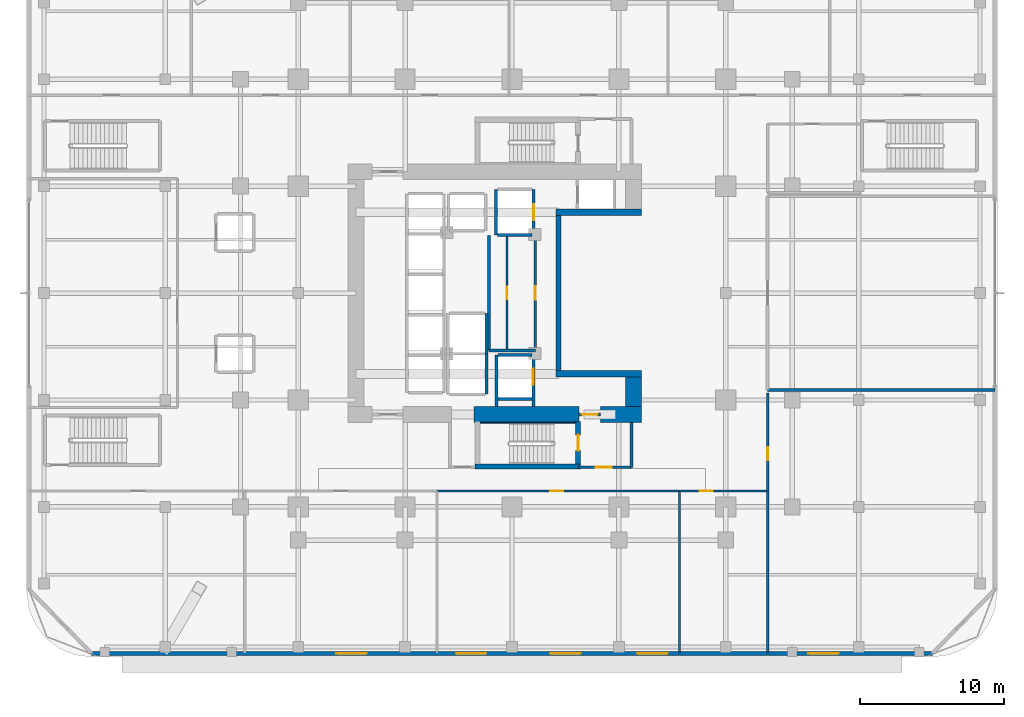
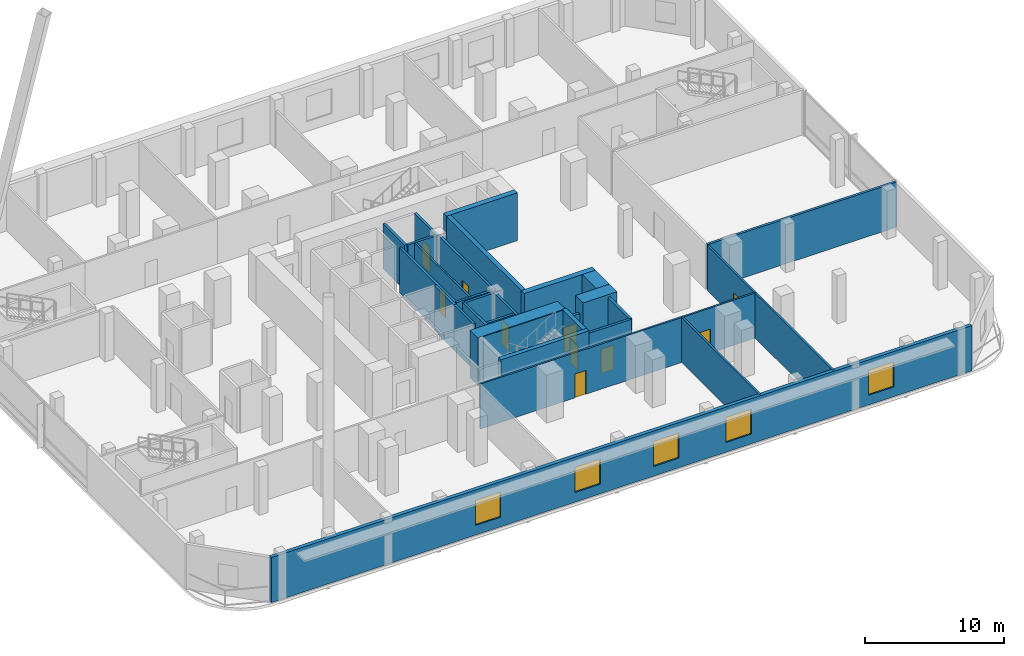
# One storey, part 9 of 19: 32 walls, 10 doors, 5 windows, 15 openings.
"""IFC4 building model written with IfcOpenShell, lengths in metres."""

from ifc_helpers import new_model, si_unit, direction, frame, frame_2d, origin, place, context, subcontext, project, spatial, rectangle, extrude, material, layer, layer_set, type_object, element, fill, save


model = new_model("IFC4")

# Units and contexts
model_context = context("Model", 3, precision=1e-05, world=origin(), true_north=direction((0.0, 1.0)))
body_context = subcontext(model_context, "Body", "Model", "MODEL_VIEW")
ifc_project = project(units=[si_unit("LENGTHUNIT", "METRE"), si_unit("AREAUNIT", "SQUARE_METRE"), si_unit("VOLUMEUNIT", "CUBIC_METRE"), si_unit("PLANEANGLEUNIT", "RADIAN"), si_unit("MASSUNIT", "GRAM", prefix="KILO")], contexts=[model_context])

# Site, building, storey
site_placement = place(None, origin())
site = spatial("IfcSite", under=ifc_project, at=site_placement, CompositionType="ELEMENT")
building_placement = place(site_placement, origin())
building = spatial("IfcBuilding", under=site, at=building_placement, Name="Khorvyn Point Tower", CompositionType="ELEMENT")
storey_placement = place(building_placement, frame((0.0, 0.0, 4.800048828125)))
storey = spatial("IfcBuildingStorey", under=building, at=storey_placement, Name="L02", CompositionType="ELEMENT", Elevation=4.800048828125)

# Walls
ifc_material_1 = material(Name="Concrete C40/50", Category="concrete")
ifc_layer_1 = layer(ifc_material_1, 0.449951171875)
ifc_layer_set_1 = layer_set([ifc_layer_1], Name="Concrete C40/50 Core Shear Wall 450")
wall_type_1 = type_object("IfcWallType", Name="Concrete C40/50 Core Shear Wall 450", PredefinedType="SHEAR", material=ifc_layer_set_1)
for number, where, z_axis, x_axis, name in (
    (1, (3.044921875, -5.60009765625, 0.0), (0.0, 0.0, 1.0), (1.0, 0.0, 0.0), "Wall"),
    (2, (3.044921875, 5.60009765625, 0.0), (0.0, 0.0, 1.0), (1.0, 0.0, 0.0), "Wall"),
):
    element("IfcWall", number, at=place(storey_placement, frame(where, z_axis=z_axis, x_axis=x_axis)), inside=storey, type_object=wall_type_1, Name=name, PredefinedType="SHEAR", context=body_context, shape_type="SweptSolid", body=[
        extrude(rectangle(XDim=5.905029296875, YDim=0.449951171875, at=frame_2d((2.95263671875, 0.0))), origin(), (0.0, 0.0, 1.0), 4.199951171875),
    ])

# Wall, opening, door
ifc_layer_2 = layer(ifc_material_1, 0.199951171875)
ifc_layer_set_2 = layer_set([ifc_layer_2], Name="Concrete C40/50 Fire-Lobby Compartment Wall 200")
wall_type_2 = type_object("IfcWallType", Name="Concrete C40/50 Fire-Lobby Compartment Wall 200", PredefinedType="SOLIDWALL", material=ifc_layer_set_2)
wall_1_placement = place(storey_placement, frame((4.580078125, -12.06005859375, 0.0), z_axis=(0.0, 0.0, 1.0), x_axis=(1.0, 0.0, 0.0)))
wall_1 = element("IfcWall", 3, at=wall_1_placement, inside=storey, type_object=wall_type_2, Name="Wall", PredefinedType="SOLIDWALL", context=body_context, shape_type="SweptSolid", body=[
    extrude(rectangle(XDim=3.699951171875, YDim=0.199951171875, at=frame_2d((1.85009765625, 0.0))), origin(), (0.0, 0.0, 1.0), 3.9599609375),
])
opening_1_placement = place(wall_1_placement, frame((1.21240234375, 0.0, 0.0)))
opening_1 = element("IfcOpeningElement", 4, at=opening_1_placement, cuts=wall_1, Name="Opening ID-FL90", PredefinedType="OPENING", context=body_context, shape_type="SweptSolid", body=[
    extrude(rectangle(XDim=1.10009765625, YDim=2.14990234375, at=frame_2d((0.550048828125, 1.074951171875))), frame((0.0, 0.10986328125, 0.0), z_axis=(0.0, -1.0, 0.0), x_axis=(1.0, 0.0, 0.0)), (0.0, 0.0, 1.0), 0.219970703125),
])
ifc_material_2 = material(Name="Galvanised powder-coated steel", Category="steel")
door_type_1 = type_object("IfcDoorType", Name="Fire-Rated Steel Lobby and Stair Door 1100x2150", OperationType="NOTDEFINED", PredefinedType="DOOR", material=ifc_material_2)
door_1_placement = place(opening_1_placement, origin())
door_1 = element("IfcDoor", 5, at=door_1_placement, inside=storey, type_object=door_type_1, Name="Door", OperationType="SINGLE_SWING_RIGHT", OverallHeight=2.14990234375, OverallWidth=1.10009765625, PredefinedType="DOOR", context=body_context, shape_type="SweptSolid", body=[
    extrude(rectangle(XDim=1.10009765625, YDim=2.14990234375, at=frame_2d((0.550048828125, 1.074951171875))), frame((0.0, 0.02490234375, 0.0), z_axis=(0.0, -1.0, 0.0), x_axis=(1.0, 0.0, 0.0)), (0.0, 0.0, 1.0), 0.050048828125),
])
fill(opening_1, door_1)

wall_2_placement = place(storey_placement, frame((4.64990234375, -8.39990234375, 0.0), z_axis=(0.0, 0.0, 1.0), x_axis=(1.0, 0.0, 0.0)))
wall_2 = element("IfcWall", 6, at=wall_2_placement, inside=storey, type_object=wall_type_2, Name="Wall", PredefinedType="SOLIDWALL", context=body_context, shape_type="SweptSolid", body=[
    extrude(rectangle(XDim=1.47021484375, YDim=0.199951171875, at=frame_2d((0.735107421875, 0.0))), origin(), (0.0, 0.0, 1.0), 3.0),
])
opening_2_placement = place(wall_2_placement, frame((0.18505859375, 0.0, 0.0)))
opening_2 = element("IfcOpeningElement", 7, at=opening_2_placement, cuts=wall_2, Name="Opening ID-FL90", PredefinedType="OPENING", context=body_context, shape_type="SweptSolid", body=[
    extrude(rectangle(XDim=1.10009765625, YDim=2.14990234375, at=frame_2d((0.550048828125, 1.074951171875))), frame((0.0, 0.10986328125, 0.0), z_axis=(0.0, -1.0, 0.0), x_axis=(1.0, 0.0, 0.0)), (0.0, 0.0, 1.0), 0.219970703125),
])
door_2_placement = place(opening_2_placement, origin())
door_2 = element("IfcDoor", 8, at=door_2_placement, inside=storey, type_object=door_type_1, Name="Door", OperationType="SINGLE_SWING_LEFT", OverallHeight=2.14990234375, OverallWidth=1.10009765625, PredefinedType="DOOR", context=body_context, shape_type="SweptSolid", body=[
    extrude(rectangle(XDim=1.10009765625, YDim=2.14990234375, at=frame_2d((0.550048828125, 1.074951171875))), frame((0.0, 0.02490234375, 0.0), z_axis=(0.0, -1.0, 0.0), x_axis=(1.0, 0.0, 0.0)), (0.0, 0.0, 1.0), 0.050048828125),
])
fill(opening_2, door_2)

wall_3_placement = place(storey_placement, frame((1.610107421875, -3.97998046875, 0.0), z_axis=(0.0, 0.0, 1.0), x_axis=(0.0, 1.0, 0.0)))
wall_3 = element("IfcWall", 9, at=wall_3_placement, inside=storey, type_object=wall_type_2, Name="Wall", PredefinedType="SOLIDWALL", context=body_context, shape_type="SweptSolid", body=[
    extrude(rectangle(XDim=7.9599609375, YDim=0.199951171875, at=frame_2d((3.97998046875, 0.0))), origin(), (0.0, 0.0, 1.0), 3.9599609375),
])
opening_3_placement = place(wall_3_placement, frame((3.52001953125, 0.0, 0.0)))
opening_3 = element("IfcOpeningElement", 10, at=opening_3_placement, cuts=wall_3, Name="Opening ID-RS60", PredefinedType="OPENING", context=body_context, shape_type="SweptSolid", body=[
    extrude(rectangle(XDim=0.919921875, YDim=2.10009765625, at=frame_2d((0.4599609375, 1.050048828125))), frame((0.0, 0.10986328125, 0.0), z_axis=(0.0, -1.0, 0.0), x_axis=(1.0, 0.0, 0.0)), (0.0, 0.0, 1.0), 0.219970703125),
])
door_type_2 = type_object("IfcDoorType", Name="Fire-Rated Riser and Store Steel Door 920x2100", OperationType="NOTDEFINED", PredefinedType="DOOR", material=ifc_material_2)
door_3_placement = place(opening_3_placement, origin())
door_3 = element("IfcDoor", 11, at=door_3_placement, inside=storey, type_object=door_type_2, Name="Door", OperationType="SINGLE_SWING_LEFT", OverallHeight=2.10009765625, OverallWidth=0.919921875, PredefinedType="DOOR", context=body_context, shape_type="SweptSolid", body=[
    extrude(rectangle(XDim=0.919921875, YDim=2.10009765625, at=frame_2d((0.4599609375, 1.050048828125))), frame((0.0, 0.02490234375, 0.0), z_axis=(0.0, -1.0, 0.0), x_axis=(1.0, 0.0, 0.0)), (0.0, 0.0, 1.0), 0.050048828125),
])
fill(opening_3, door_3)

# Walls
wall_4_placement = place(storey_placement, frame((8.280029296875, -12.06005859375, 0.0), z_axis=(0.0, 0.0, 1.0), x_axis=(0.0, 1.0, 0.0)))
element("IfcWall", 12, at=wall_4_placement, inside=storey, type_object=wall_type_2, Name="Wall", PredefinedType="SOLIDWALL", context=body_context, shape_type="SweptSolid", body=[
    extrude(rectangle(XDim=3.110107421875, YDim=0.199951171875, at=frame_2d((1.55517578125, 0.0))), origin(), (0.0, 0.0, 1.0), 3.9599609375),
])
wall_5_placement = place(storey_placement, frame((-1.580078125, -3.97998046875, 0.0), z_axis=(0.0, 0.0, 1.0), x_axis=(0.0, 1.0, 0.0)))
element("IfcWall", 13, at=wall_5_placement, inside=storey, type_object=wall_type_2, Name="Wall", PredefinedType="SOLIDWALL", context=body_context, shape_type="SweptSolid", body=[
    extrude(rectangle(XDim=7.9599609375, YDim=0.199951171875, at=frame_2d((3.97998046875, 0.0))), origin(), (0.0, 0.0, 1.0), 3.9599609375),
])
wall_6_placement = place(storey_placement, frame((-1.580078125, -3.97998046875, 0.0), z_axis=(0.0, 0.0, 1.0), x_axis=(1.0, 0.0, 0.0)))
element("IfcWall", 14, at=wall_6_placement, inside=storey, type_object=wall_type_2, Name="Wall", PredefinedType="SOLIDWALL", context=body_context, shape_type="SweptSolid", body=[
    extrude(rectangle(XDim=3.190185546875, YDim=0.199951171875, at=frame_2d((1.59521484375, 0.0))), origin(), (0.0, 0.0, 1.0), 3.9599609375),
])
wall_7_placement = place(storey_placement, frame((17.699951171875, -6.699951171875, 0.0), z_axis=(0.0, 0.0, 1.0), x_axis=(1.0, 0.0, 0.0)))
element("IfcWall", 15, at=wall_7_placement, inside=storey, type_object=wall_type_2, Name="Wall", PredefinedType="SOLIDWALL", context=body_context, shape_type="SweptSolid", body=[
    extrude(rectangle(XDim=15.719970703125, YDim=0.199951171875, at=frame_2d((7.85986328125, 0.0))), origin(), (0.0, 0.0, 1.0), 3.9599609375),
])
ifc_layer_3 = layer(ifc_material_1, 0.25)
ifc_layer_set_3 = layer_set([ifc_layer_3], Name="Concrete C40/50 Stair Inner Cheek Structural Wall 250")
wall_type_3 = type_object("IfcWallType", Name="Concrete C40/50 Stair Inner Cheek Structural Wall 250", PredefinedType="SHEAR", material=ifc_layer_set_3)
wall_8_placement = place(storey_placement, frame((-2.199951171875, -8.987548828125, 0.0), z_axis=(0.0, 0.0, 1.0), x_axis=(1.0, 0.0, 0.0)))
element("IfcWall", 16, at=wall_8_placement, inside=storey, type_object=wall_type_3, Name="Wall", PredefinedType="SHEAR", context=body_context, shape_type="SweptSolid", body=[
    extrude(rectangle(XDim=6.599853515625, YDim=0.074951171875, at=frame_2d((3.2998046875, 0.0))), origin(), (0.0, 0.0, 1.0), 4.199951171875),
])
ifc_layer_4 = layer(ifc_material_1, 0.35009765625)
ifc_layer_set_4 = layer_set([ifc_layer_4], Name="Concrete C40/50 Stair Shaft Structural Wall 350")
wall_type_4 = type_object("IfcWallType", Name="Concrete C40/50 Stair Shaft Structural Wall 350", PredefinedType="SHEAR", material=ifc_layer_set_4)
wall_9_placement = place(storey_placement, frame((3.219970703125, -5.375, 0.0), z_axis=(0.0, 0.0, 1.0), x_axis=(0.0, 1.0, 0.0)))
element("IfcWall", 17, at=wall_9_placement, inside=storey, type_object=wall_type_4, Name="Wall", PredefinedType="SHEAR", context=body_context, shape_type="SweptSolid", body=[
    extrude(rectangle(XDim=10.75, YDim=0.35009765625, at=frame_2d((5.375, 0.0))), origin(), (0.0, 0.0, 1.0), 4.199951171875),
])
wall_10_placement = place(storey_placement, frame((-2.554931640625, -12.0, 0.0), z_axis=(0.0, 0.0, 1.0), x_axis=(1.0, 0.0, 0.0)))
element("IfcWall", 18, at=wall_10_placement, inside=storey, type_object=wall_type_4, Name="L02 ST-01 South Shaft Wall", PredefinedType="SHEAR", context=body_context, shape_type="SweptSolid", body=[
    extrude(rectangle(XDim=7.309814453125, YDim=0.35009765625, at=frame_2d((3.65478515625, 0.0))), origin(), (0.0, 0.0, 1.0), 4.199951171875),
])

# Wall, opening, door
wall_11_placement = place(storey_placement, frame((4.580078125, -8.89990234375, 0.0), z_axis=(0.0, 0.0, 1.0), x_axis=(0.0, -1.0, 0.0)))
wall_11 = element("IfcWall", 19, at=wall_11_placement, inside=storey, type_object=wall_type_4, Name="L02 ST-01 East Landing Door Wall", PredefinedType="SHEAR", context=body_context, shape_type="SweptSolid", body=[
    extrude(rectangle(XDim=2.925048828125, YDim=0.35009765625, at=frame_2d((1.46240234375, 0.0))), origin(), (0.0, 0.0, 1.0), 4.199951171875),
])
opening_4_placement = place(wall_11_placement, frame((0.91259765625, 0.0, 0.0)))
opening_4 = element("IfcOpeningElement", 20, at=opening_4_placement, cuts=wall_11, Name="Opening ID-FL90", PredefinedType="OPENING", context=body_context, shape_type="SweptSolid", body=[
    extrude(rectangle(XDim=1.10009765625, YDim=2.14990234375, at=frame_2d((0.550048828125, 1.074951171875))), frame((0.0, 0.18505859375, 0.0), z_axis=(0.0, -1.0, 0.0), x_axis=(1.0, 0.0, 0.0)), (0.0, 0.0, 1.0), 0.3701171875),
])
door_4_placement = place(opening_4_placement, origin())
door_4 = element("IfcDoor", 21, at=door_4_placement, inside=storey, type_object=door_type_1, Name="L02 ST-01 Smokeproof Landing Door", OperationType="SINGLE_SWING_RIGHT", OverallHeight=2.14990234375, OverallWidth=1.10009765625, PredefinedType="DOOR", context=body_context, shape_type="SweptSolid", body=[
    extrude(rectangle(XDim=1.10009765625, YDim=2.14990234375, at=frame_2d((0.550048828125, 1.074951171875))), frame((0.0, 0.02490234375, 0.0), z_axis=(0.0, -1.0, 0.0), x_axis=(1.0, 0.0, 0.0)), (0.0, 0.0, 1.0), 0.050048828125),
])
fill(opening_4, door_4)

# Walls
ifc_layer_5 = layer(ifc_material_1, 0.199951171875)
ifc_layer_set_5 = layer_set([ifc_layer_5], Name="Concrete C40/50 Structural Hoistway and Stair Shaft Wall 200")
wall_type_5 = type_object("IfcWallType", Name="Concrete C40/50 Structural Hoistway and Stair Shaft Wall 200", PredefinedType="SHEAR", material=ifc_layer_set_5)
for number, where, z_axis, x_axis, name in (
    (22, (-1.77490234375, -7.0, 0.0), (0.0, 0.0, 1.0), (0.0, 1.0, 0.0), "Wall"),
    (23, (-1.77490234375, -4.199951171875, 0.0), (0.0, 0.0, 1.0), (0.0, 1.0, 0.0), "Wall"),
):
    element("IfcWall", number, at=place(storey_placement, frame(where, z_axis=z_axis, x_axis=x_axis)), inside=storey, type_object=wall_type_5, Name=name, PredefinedType="SHEAR", context=body_context, shape_type="SweptSolid", body=[
        extrude(rectangle(XDim=2.800048828125, YDim=0.199951171875, at=frame_2d((1.39990234375, 0.0))), origin(), (0.0, 0.0, 1.0), 3.9599609375),
    ])
wall_12_placement = place(storey_placement, frame((-1.10009765625, 4.02490234375, 0.0), z_axis=(0.0, 0.0, 1.0), x_axis=(0.0, 1.0, 0.0)))
element("IfcWall", 24, at=wall_12_placement, inside=storey, type_object=wall_type_5, Name="Wall", PredefinedType="SHEAR", context=body_context, shape_type="SweptSolid", body=[
    extrude(rectangle(XDim=3.150146484375, YDim=0.199951171875, at=frame_2d((1.5751953125, 0.0))), origin(), (0.0, 0.0, 1.0), 3.9599609375),
])

# Wall, opening, door
wall_13_placement = place(storey_placement, frame((1.5, 4.02490234375, 0.0), z_axis=(0.0, 0.0, 1.0), x_axis=(0.0, 1.0, 0.0)))
wall_13 = element("IfcWall", 25, at=wall_13_placement, inside=storey, type_object=wall_type_5, Name="Wall", PredefinedType="SHEAR", context=body_context, shape_type="SweptSolid", body=[
    extrude(rectangle(XDim=3.150146484375, YDim=0.199951171875, at=frame_2d((1.5751953125, 0.0))), origin(), (0.0, 0.0, 1.0), 3.9599609375),
])
opening_5_placement = place(wall_13_placement, frame((1.02490234375, 0.0, 0.0)))
opening_5 = element("IfcOpeningElement", 26, at=opening_5_placement, cuts=wall_13, Name="Opening LD-1122", PredefinedType="OPENING", context=body_context, shape_type="SweptSolid", body=[
    extrude(rectangle(XDim=1.10009765625, YDim=2.199951171875, at=frame_2d((0.550048828125, 1.10009765625))), frame((0.0, 0.10986328125, 0.0), z_axis=(0.0, -1.0, 0.0), x_axis=(1.0, 0.0, 0.0)), (0.0, 0.0, 1.0), 0.219970703125),
])
ifc_material_3 = material(Name="Stainless steel 1.4301", Category="steel")
door_type_3 = type_object("IfcDoorType", Name="Stainless Steel Automatic Sliding Lift Landing Door 1100x2200", OperationType="SLIDING_TO_LEFT", PredefinedType="DOOR", material=ifc_material_3)
door_5_placement = place(opening_5_placement, origin())
door_5 = element("IfcDoor", 27, at=door_5_placement, inside=storey, type_object=door_type_3, Name="L02 SV-01 Sliding Lift Landing Door", OperationType="SLIDING_TO_LEFT", OverallHeight=2.199951171875, OverallWidth=1.10009765625, PredefinedType="DOOR", context=body_context, shape_type="SweptSolid", body=[
    extrude(rectangle(XDim=1.10009765625, YDim=2.199951171875, at=frame_2d((0.550048828125, 1.10009765625))), frame((0.0, 0.02490234375, 0.0), z_axis=(0.0, -1.0, 0.0), x_axis=(1.0, 0.0, 0.0)), (0.0, 0.0, 1.0), 0.050048828125),
])
fill(opening_5, door_5)

# Walls
wall_14_placement = place(storey_placement, frame((-1.0, 4.02490234375, 0.0), z_axis=(0.0, 0.0, 1.0), x_axis=(1.0, 0.0, 0.0)))
element("IfcWall", 28, at=wall_14_placement, inside=storey, type_object=wall_type_5, Name="Wall", PredefinedType="SHEAR", context=body_context, shape_type="SweptSolid", body=[
    extrude(rectangle(XDim=2.39990234375, YDim=0.199951171875, at=frame_2d((1.199951171875, 0.0))), origin(), (0.0, 0.0, 1.0), 3.9599609375),
])
wall_15_placement = place(storey_placement, frame((-1.074951171875, -7.85009765625, 0.0), z_axis=(0.0, 0.0, 1.0), x_axis=(0.0, 1.0, 0.0)))
element("IfcWall", 29, at=wall_15_placement, inside=storey, type_object=wall_type_5, Name="Wall", PredefinedType="SHEAR", context=body_context, shape_type="SweptSolid", body=[
    extrude(rectangle(XDim=3.5751953125, YDim=0.199951171875, at=frame_2d((1.78759765625, 0.0))), origin(), (0.0, 0.0, 1.0), 3.9599609375),
])

# Wall, opening, door
wall_16_placement = place(storey_placement, frame((1.47509765625, -7.85009765625, 0.0), z_axis=(0.0, 0.0, 1.0), x_axis=(0.0, 1.0, 0.0)))
wall_16 = element("IfcWall", 30, at=wall_16_placement, inside=storey, type_object=wall_type_5, Name="Wall", PredefinedType="SHEAR", context=body_context, shape_type="SweptSolid", body=[
    extrude(rectangle(XDim=3.5751953125, YDim=0.199951171875, at=frame_2d((1.78759765625, 0.0))), origin(), (0.0, 0.0, 1.0), 3.9599609375),
])
opening_6_placement = place(wall_16_placement, frame((1.5, 0.0, 0.0)))
opening_6 = element("IfcOpeningElement", 31, at=opening_6_placement, cuts=wall_16, Name="Opening LD-1122", PredefinedType="OPENING", context=body_context, shape_type="SweptSolid", body=[
    extrude(rectangle(XDim=1.10009765625, YDim=2.199951171875, at=frame_2d((0.550048828125, 1.10009765625))), frame((0.0, 0.10986328125, 0.0), z_axis=(0.0, -1.0, 0.0), x_axis=(1.0, 0.0, 0.0)), (0.0, 0.0, 1.0), 0.219970703125),
])
door_6_placement = place(opening_6_placement, origin())
door_6 = element("IfcDoor", 32, at=door_6_placement, inside=storey, type_object=door_type_3, Name="L02 FF-01 Sliding Lift Landing Door", OperationType="SLIDING_TO_LEFT", OverallHeight=2.199951171875, OverallWidth=1.10009765625, PredefinedType="DOOR", context=body_context, shape_type="SweptSolid", body=[
    extrude(rectangle(XDim=1.10009765625, YDim=2.199951171875, at=frame_2d((0.550048828125, 1.10009765625))), frame((0.0, 0.02490234375, 0.0), z_axis=(0.0, -1.0, 0.0), x_axis=(1.0, 0.0, 0.0)), (0.0, 0.0, 1.0), 0.050048828125),
])
fill(opening_6, door_6)

# Walls
for number, where, z_axis, x_axis, name in (
    (33, (-0.97509765625, -7.324951171875, 0.0), (0.0, 0.0, 1.0), (1.0, 0.0, 0.0), "Wall"),
    (34, (-0.97509765625, -4.27490234375, 0.0), (0.0, 0.0, 1.0), (1.0, 0.0, 0.0), "Wall"),
):
    element("IfcWall", number, at=place(storey_placement, frame(where, z_axis=z_axis, x_axis=x_axis)), inside=storey, type_object=wall_type_5, Name=name, PredefinedType="SHEAR", context=body_context, shape_type="SweptSolid", body=[
        extrude(rectangle(XDim=2.35009765625, YDim=0.199951171875, at=frame_2d((1.175048828125, 0.0))), origin(), (0.0, 0.0, 1.0), 3.9599609375),
    ])
ifc_material_4 = material(Name="Concrete C50/60", Category="concrete")
ifc_layer_6 = layer(ifc_material_4, 1.10009765625)
ifc_layer_set_6 = layer_set([ifc_layer_6], Name="Concrete C50/60 Core Shear Wall 1100")
wall_type_6 = type_object("IfcWallType", Name="Concrete C50/60 Core Shear Wall 1100", PredefinedType="SHEAR", material=ifc_layer_set_6)
wall_17_placement = place(storey_placement, frame((-2.6201171875, -8.39990234375, 0.0), z_axis=(0.0, 0.0, 1.0), x_axis=(1.0, 0.0, 0.0)))
element("IfcWall", 35, at=wall_17_placement, inside=storey, type_object=wall_type_6, Name="Wall", PredefinedType="SHEAR", context=body_context, shape_type="SweptSolid", body=[
    extrude(rectangle(XDim=7.27001953125, YDim=1.10009765625, at=frame_2d((3.635009765625, 0.0))), origin(), (0.0, 0.0, 1.0), 4.199951171875),
])
wall_18_placement = place(storey_placement, frame((6.1201171875, -8.39990234375, 0.0), z_axis=(0.0, 0.0, 1.0), x_axis=(1.0, 0.0, 0.0)))
element("IfcWall", 36, at=wall_18_placement, inside=storey, type_object=wall_type_6, Name="Wall", PredefinedType="SHEAR", context=body_context, shape_type="SweptSolid", body=[
    extrude(rectangle(XDim=2.829833984375, YDim=1.10009765625, at=frame_2d((1.4150390625, 0.0))), origin(), (0.0, 0.0, 1.0), 4.199951171875),
])
wall_19_placement = place(storey_placement, frame((8.39990234375, -7.85009765625, 0.0), z_axis=(0.0, 0.0, 1.0), x_axis=(0.0, 1.0, 0.0)))
element("IfcWall", 37, at=wall_19_placement, inside=storey, type_object=wall_type_6, Name="Wall", PredefinedType="SHEAR", context=body_context, shape_type="SweptSolid", body=[
    extrude(rectangle(XDim=2.025146484375, YDim=1.10009765625, at=frame_2d((1.0126953125, 0.0))), origin(), (0.0, 0.0, 1.0), 4.199951171875),
])

# Wall, opening, door
ifc_material_5 = material(Name="Moisture-resistant gypsum and cement board", Category="gypsum")
ifc_layer_7 = layer(ifc_material_5, 0.14990234375)
ifc_layer_set_7 = layer_set([ifc_layer_7], Name="Moisture-Resistant Wet-Room Partition Wall 150")
wall_type_7 = type_object("IfcWallType", Name="Moisture-Resistant Wet-Room Partition Wall 150", PredefinedType="PARTITIONING", material=ifc_layer_set_7)
wall_20_placement = place(storey_placement, frame((-0.35009765625, -3.97998046875, 0.0), z_axis=(0.0, 0.0, 1.0), x_axis=(0.0, 1.0, 0.0)))
wall_20 = element("IfcWall", 38, at=wall_20_placement, inside=storey, type_object=wall_type_7, Name="Wall", PredefinedType="PARTITIONING", context=body_context, shape_type="SweptSolid", body=[
    extrude(rectangle(XDim=7.9599609375, YDim=0.14990234375, at=frame_2d((3.97998046875, 0.0))), origin(), (0.0, 0.0, 1.0), 3.9599609375),
])
opening_7_placement = place(wall_20_placement, frame((3.554931640625, 0.0, 0.0)))
opening_7 = element("IfcOpeningElement", 39, at=opening_7_placement, cuts=wall_20, Name="Opening ID-WC85", PredefinedType="OPENING", context=body_context, shape_type="SweptSolid", body=[
    extrude(rectangle(XDim=0.85009765625, YDim=2.10009765625, at=frame_2d((0.425048828125, 1.050048828125))), frame((0.0, 0.0849609375, 0.0), z_axis=(0.0, -1.0, 0.0), x_axis=(1.0, 0.0, 0.0)), (0.0, 0.0, 1.0), 0.169921875),
])
ifc_material_6 = material(Name="High-pressure laminate on moisture-resistant core", Category="wood")
door_type_4 = type_object("IfcDoorType", Name="Moisture-Resistant Accessible Washroom Door 850x2100", OperationType="NOTDEFINED", PredefinedType="DOOR", material=ifc_material_6)
door_7_placement = place(opening_7_placement, origin())
door_7 = element("IfcDoor", 40, at=door_7_placement, inside=storey, type_object=door_type_4, Name="Door", OperationType="SINGLE_SWING_RIGHT", OverallHeight=2.10009765625, OverallWidth=0.85009765625, PredefinedType="DOOR", context=body_context, shape_type="SweptSolid", body=[
    extrude(rectangle(XDim=0.85009765625, YDim=2.10009765625, at=frame_2d((0.425048828125, 1.050048828125))), frame((0.0, 0.02490234375, 0.0), z_axis=(0.0, -1.0, 0.0), x_axis=(1.0, 0.0, 0.0)), (0.0, 0.0, 1.0), 0.050048828125),
])
fill(opening_7, door_7)

wall_21_placement = place(storey_placement, frame((-5.199951171875, -13.699951171875, 0.0), z_axis=(0.0, 0.0, 1.0), x_axis=(1.0, 0.0, 0.0)))
wall_21 = element("IfcWall", 41, at=wall_21_placement, inside=storey, type_object=wall_type_7, Name="Wall", PredefinedType="PARTITIONING", context=body_context, shape_type="SweptSolid", body=[
    extrude(rectangle(XDim=16.800048828125, YDim=0.14990234375, at=frame_2d((8.39990234375, 0.0))), origin(), (0.0, 0.0, 1.0), 3.9599609375),
])
opening_8_placement = place(wall_21_placement, frame((7.860595703125, 0.0, 0.0)))
opening_8 = element("IfcOpeningElement", 42, at=opening_8_placement, cuts=wall_21, Name="Opening ID-RM90", PredefinedType="OPENING", context=body_context, shape_type="SweptSolid", body=[
    extrude(rectangle(XDim=0.89990234375, YDim=2.10009765625, at=frame_2d((0.449951171875, 1.050048828125))), frame((0.0, 0.0849609375, 0.0), z_axis=(0.0, -1.0, 0.0), x_axis=(1.0, 0.0, 0.0)), (0.0, 0.0, 1.0), 0.169921875),
])
ifc_material_7 = material(Name="Engineered oak veneer timber", Category="wood")
door_type_5 = type_object("IfcDoorType", Name="Flush Engineered Timber Room Door 900x2100", OperationType="NOTDEFINED", PredefinedType="DOOR", material=ifc_material_7)
door_8_placement = place(opening_8_placement, origin())
door_8 = element("IfcDoor", 43, at=door_8_placement, inside=storey, type_object=door_type_5, Name="Door", OperationType="SINGLE_SWING_LEFT", OverallHeight=2.10009765625, OverallWidth=0.89990234375, PredefinedType="DOOR", context=body_context, shape_type="SweptSolid", body=[
    extrude(rectangle(XDim=0.89990234375, YDim=2.10009765625, at=frame_2d((0.449951171875, 1.050048828125))), frame((0.0, 0.02490234375, 0.0), z_axis=(0.0, -1.0, 0.0), x_axis=(1.0, 0.0, 0.0)), (0.0, 0.0, 1.0), 0.050048828125),
])
fill(opening_8, door_8)

wall_22_placement = place(storey_placement, frame((11.60009765625, -13.699951171875, 0.0), z_axis=(0.0, 0.0, 1.0), x_axis=(1.0, 0.0, 0.0)))
wall_22 = element("IfcWall", 44, at=wall_22_placement, inside=storey, type_object=wall_type_7, Name="Wall", PredefinedType="PARTITIONING", context=body_context, shape_type="SweptSolid", body=[
    extrude(rectangle(XDim=6.0498046875, YDim=0.14990234375, at=frame_2d((3.02490234375, 0.0))), origin(), (0.0, 0.0, 1.0), 3.9599609375),
])
opening_9_placement = place(wall_22_placement, frame((1.412109375, 0.0, 0.0)))
opening_9 = element("IfcOpeningElement", 45, at=opening_9_placement, cuts=wall_22, Name="Opening ID-RM90", PredefinedType="OPENING", context=body_context, shape_type="SweptSolid", body=[
    extrude(rectangle(XDim=0.89990234375, YDim=2.10009765625, at=frame_2d((0.449951171875, 1.050048828125))), frame((0.0, 0.0849609375, 0.0), z_axis=(0.0, -1.0, 0.0), x_axis=(1.0, 0.0, 0.0)), (0.0, 0.0, 1.0), 0.169921875),
])
door_9_placement = place(opening_9_placement, origin())
door_9 = element("IfcDoor", 46, at=door_9_placement, inside=storey, type_object=door_type_5, Name="Door", OperationType="SINGLE_SWING_RIGHT", OverallHeight=2.10009765625, OverallWidth=0.89990234375, PredefinedType="DOOR", context=body_context, shape_type="SweptSolid", body=[
    extrude(rectangle(XDim=0.89990234375, YDim=2.10009765625, at=frame_2d((0.449951171875, 1.050048828125))), frame((0.0, 0.02490234375, 0.0), z_axis=(0.0, -1.0, 0.0), x_axis=(1.0, 0.0, 0.0)), (0.0, 0.0, 1.0), 0.050048828125),
])
fill(opening_9, door_9)

wall_23_placement = place(storey_placement, frame((17.699951171875, -13.699951171875, 0.0), z_axis=(0.0, 0.0, 1.0), x_axis=(0.0, 1.0, 0.0)))
wall_23 = element("IfcWall", 47, at=wall_23_placement, inside=storey, type_object=wall_type_7, Name="Wall", PredefinedType="PARTITIONING", context=body_context, shape_type="SweptSolid", body=[
    extrude(rectangle(XDim=6.800048828125, YDim=0.14990234375, at=frame_2d((3.39990234375, 0.0))), origin(), (0.0, 0.0, 1.0), 3.9599609375),
])
opening_10_placement = place(wall_23_placement, frame((2.139892578125, 0.0, 0.0)))
opening_10 = element("IfcOpeningElement", 48, at=opening_10_placement, cuts=wall_23, Name="Opening ID-RM90", PredefinedType="OPENING", context=body_context, shape_type="SweptSolid", body=[
    extrude(rectangle(XDim=0.89990234375, YDim=2.10009765625, at=frame_2d((0.449951171875, 1.050048828125))), frame((0.0, 0.0849609375, 0.0), z_axis=(0.0, -1.0, 0.0), x_axis=(1.0, 0.0, 0.0)), (0.0, 0.0, 1.0), 0.169921875),
])
door_10_placement = place(opening_10_placement, origin())
door_10 = element("IfcDoor", 49, at=door_10_placement, inside=storey, type_object=door_type_5, Name="Door", OperationType="SINGLE_SWING_LEFT", OverallHeight=2.10009765625, OverallWidth=0.89990234375, PredefinedType="DOOR", context=body_context, shape_type="SweptSolid", body=[
    extrude(rectangle(XDim=0.89990234375, YDim=2.10009765625, at=frame_2d((0.449951171875, 1.050048828125))), frame((0.0, 0.02490234375, 0.0), z_axis=(0.0, -1.0, 0.0), x_axis=(1.0, 0.0, 0.0)), (0.0, 0.0, 1.0), 0.050048828125),
])
fill(opening_10, door_10)

# Walls
for number, where, z_axis, x_axis, name in (
    (50, (11.60009765625, -24.919921875, 0.0), (0.0, 0.0, 1.0), (0.0, 1.0, 0.0), "Wall"),
    (51, (17.699951171875, -13.699951171875, 0.0), (0.0, 0.0, 1.0), (0.0, -1.0, 0.0), "Wall"),
):
    element("IfcWall", number, at=place(storey_placement, frame(where, z_axis=z_axis, x_axis=x_axis)), inside=storey, type_object=wall_type_7, Name=name, PredefinedType="PARTITIONING", context=body_context, shape_type="SweptSolid", body=[
        extrude(rectangle(XDim=11.219970703125, YDim=0.14990234375, at=frame_2d((5.60986328125, 0.0))), origin(), (0.0, 0.0, 1.0), 3.9599609375),
    ])

# Wall, openings, windows
ifc_material_8 = material(Name="Precast concrete C35/45", Category="concrete")
ifc_layer_8 = layer(ifc_material_8, 0.300048828125)
ifc_layer_set_8 = layer_set([ifc_layer_8], Name="Precast Concrete C35/45 Insulated Podium Facade Wall 300")
wall_type_8 = type_object("IfcWallType", Name="Precast Concrete C35/45 Insulated Podium Facade Wall 300", PredefinedType="SOLIDWALL", material=ifc_layer_set_8)
wall_24_placement = place(storey_placement, frame((29.10009765625, -24.949951171875, 0.0), z_axis=(0.0, 0.0, 1.0), x_axis=(-1.0, 0.0, 0.0)))
wall_24 = element("IfcWall", 52, at=wall_24_placement, inside=storey, type_object=wall_type_8, Name="L02 South Podium Facade Wall", PredefinedType="SOLIDWALL", context=body_context, shape_type="SweptSolid", body=[
    extrude(rectangle(XDim=58.2001953125, YDim=0.300048828125, at=frame_2d((29.10009765625, 0.0))), origin(), (0.0, 0.0, 1.0), 3.9599609375),
])
opening_11_placement = place(wall_24_placement, frame((39.14990234375, 0.0, 0.85009765625)))
opening_11 = element("IfcOpeningElement", 53, at=opening_11_placement, cuts=wall_24, Name="Opening WN-2122", PredefinedType="OPENING", context=body_context, shape_type="SweptSolid", body=[
    extrude(rectangle(XDim=2.10009765625, YDim=2.199951171875, at=frame_2d((1.050048828125, 1.10009765625))), frame((0.0, 0.159912109375, 0.0), z_axis=(0.0, -1.0, 0.0), x_axis=(1.0, 0.0, 0.0)), (0.0, 0.0, 1.0), 0.320068359375),
])
opening_12_placement = place(wall_24_placement, frame((30.875, 0.0, 0.85009765625)))
opening_12 = element("IfcOpeningElement", 54, at=opening_12_placement, cuts=wall_24, Name="Opening WN-2122", PredefinedType="OPENING", context=body_context, shape_type="SweptSolid", body=[
    extrude(rectangle(XDim=2.10009765625, YDim=2.199951171875, at=frame_2d((1.050048828125, 1.10009765625))), frame((0.0, 0.159912109375, 0.0), z_axis=(0.0, -1.0, 0.0), x_axis=(1.0, 0.0, 0.0)), (0.0, 0.0, 1.0), 0.320068359375),
])
opening_13_placement = place(wall_24_placement, frame((24.35009765625, 0.0, 0.85009765625)))
opening_13 = element("IfcOpeningElement", 55, at=opening_13_placement, cuts=wall_24, Name="Opening WN-2122", PredefinedType="OPENING", context=body_context, shape_type="SweptSolid", body=[
    extrude(rectangle(XDim=2.10009765625, YDim=2.199951171875, at=frame_2d((1.050048828125, 1.10009765625))), frame((0.0, 0.159912109375, 0.0), z_axis=(0.0, -1.0, 0.0), x_axis=(1.0, 0.0, 0.0)), (0.0, 0.0, 1.0), 0.320068359375),
])
opening_14_placement = place(wall_24_placement, frame((18.324951171875, 0.0, 0.85009765625)))
opening_14 = element("IfcOpeningElement", 56, at=opening_14_placement, cuts=wall_24, Name="Opening WN-2122", PredefinedType="OPENING", context=body_context, shape_type="SweptSolid", body=[
    extrude(rectangle(XDim=2.10009765625, YDim=2.199951171875, at=frame_2d((1.050048828125, 1.10009765625))), frame((0.0, 0.159912109375, 0.0), z_axis=(0.0, -1.0, 0.0), x_axis=(1.0, 0.0, 0.0)), (0.0, 0.0, 1.0), 0.320068359375),
])
opening_15_placement = place(wall_24_placement, frame((6.48291015625, 0.0, 0.85009765625)))
opening_15 = element("IfcOpeningElement", 57, at=opening_15_placement, cuts=wall_24, Name="Opening WN-2122", PredefinedType="OPENING", context=body_context, shape_type="SweptSolid", body=[
    extrude(rectangle(XDim=2.10009765625, YDim=2.199951171875, at=frame_2d((1.050048828125, 1.10009765625))), frame((0.0, 0.159912109375, 0.0), z_axis=(0.0, -1.0, 0.0), x_axis=(1.0, 0.0, 0.0)), (0.0, 0.0, 1.0), 0.320068359375),
])
ifc_material_9 = material(Name="Anodised aluminium 6063-T6 and laminated Low-E glass", Category="aluminium")
window_type = type_object("IfcWindowType", Name="Anodised Aluminium School Classroom Daylight Window 2100x2200", PartitioningType="TRIPLE_PANEL_HORIZONTAL", PredefinedType="WINDOW", material=ifc_material_9)
window_1_placement = place(opening_11_placement, origin())
window_1 = element("IfcWindow", 58, at=window_1_placement, inside=storey, type_object=window_type, Name="L02 South Podium Daylight Window S1", OverallHeight=2.199951171875, OverallWidth=2.10009765625, PartitioningType="SINGLE_PANEL", PredefinedType="WINDOW", context=body_context, shape_type="SweptSolid", body=[
    extrude(rectangle(XDim=2.10009765625, YDim=2.199951171875, at=frame_2d((1.050048828125, 1.10009765625))), frame((0.0, 0.030029296875, 0.0), z_axis=(0.0, -1.0, 0.0), x_axis=(1.0, 0.0, 0.0)), (0.0, 0.0, 1.0), 0.06005859375),
])
fill(opening_11, window_1)
window_2_placement = place(opening_12_placement, origin())
window_2 = element("IfcWindow", 59, at=window_2_placement, inside=storey, type_object=window_type, Name="L02 South Podium Daylight Window S2", OverallHeight=2.199951171875, OverallWidth=2.10009765625, PartitioningType="SINGLE_PANEL", PredefinedType="WINDOW", context=body_context, shape_type="SweptSolid", body=[
    extrude(rectangle(XDim=2.10009765625, YDim=2.199951171875, at=frame_2d((1.050048828125, 1.10009765625))), frame((0.0, 0.030029296875, 0.0), z_axis=(0.0, -1.0, 0.0), x_axis=(1.0, 0.0, 0.0)), (0.0, 0.0, 1.0), 0.06005859375),
])
fill(opening_12, window_2)
window_3_placement = place(opening_13_placement, origin())
window_3 = element("IfcWindow", 60, at=window_3_placement, inside=storey, type_object=window_type, Name="L02 South Podium Daylight Window S3", OverallHeight=2.199951171875, OverallWidth=2.10009765625, PartitioningType="SINGLE_PANEL", PredefinedType="WINDOW", context=body_context, shape_type="SweptSolid", body=[
    extrude(rectangle(XDim=2.10009765625, YDim=2.199951171875, at=frame_2d((1.050048828125, 1.10009765625))), frame((0.0, 0.030029296875, 0.0), z_axis=(0.0, -1.0, 0.0), x_axis=(1.0, 0.0, 0.0)), (0.0, 0.0, 1.0), 0.06005859375),
])
fill(opening_13, window_3)
window_4_placement = place(opening_14_placement, origin())
window_4 = element("IfcWindow", 61, at=window_4_placement, inside=storey, type_object=window_type, Name="L02 South Podium Daylight Window S4", OverallHeight=2.199951171875, OverallWidth=2.10009765625, PartitioningType="SINGLE_PANEL", PredefinedType="WINDOW", context=body_context, shape_type="SweptSolid", body=[
    extrude(rectangle(XDim=2.10009765625, YDim=2.199951171875, at=frame_2d((1.050048828125, 1.10009765625))), frame((0.0, 0.030029296875, 0.0), z_axis=(0.0, -1.0, 0.0), x_axis=(1.0, 0.0, 0.0)), (0.0, 0.0, 1.0), 0.06005859375),
])
fill(opening_14, window_4)
window_5_placement = place(opening_15_placement, origin())
window_5 = element("IfcWindow", 62, at=window_5_placement, inside=storey, type_object=window_type, Name="L02 South Podium Daylight Window S5", OverallHeight=2.199951171875, OverallWidth=2.10009765625, PartitioningType="SINGLE_PANEL", PredefinedType="WINDOW", context=body_context, shape_type="SweptSolid", body=[
    extrude(rectangle(XDim=2.10009765625, YDim=2.199951171875, at=frame_2d((1.050048828125, 1.10009765625))), frame((0.0, 0.030029296875, 0.0), z_axis=(0.0, -1.0, 0.0), x_axis=(1.0, 0.0, 0.0)), (0.0, 0.0, 1.0), 0.06005859375),
])
fill(opening_15, window_5)

save(model, "model.ifc")
